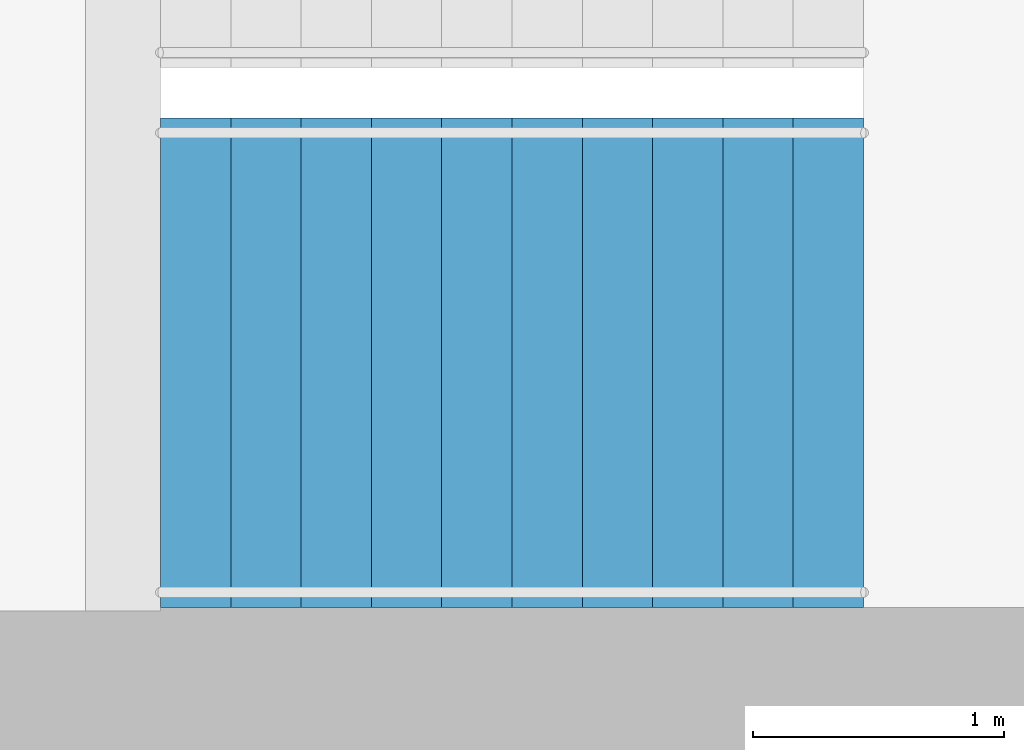
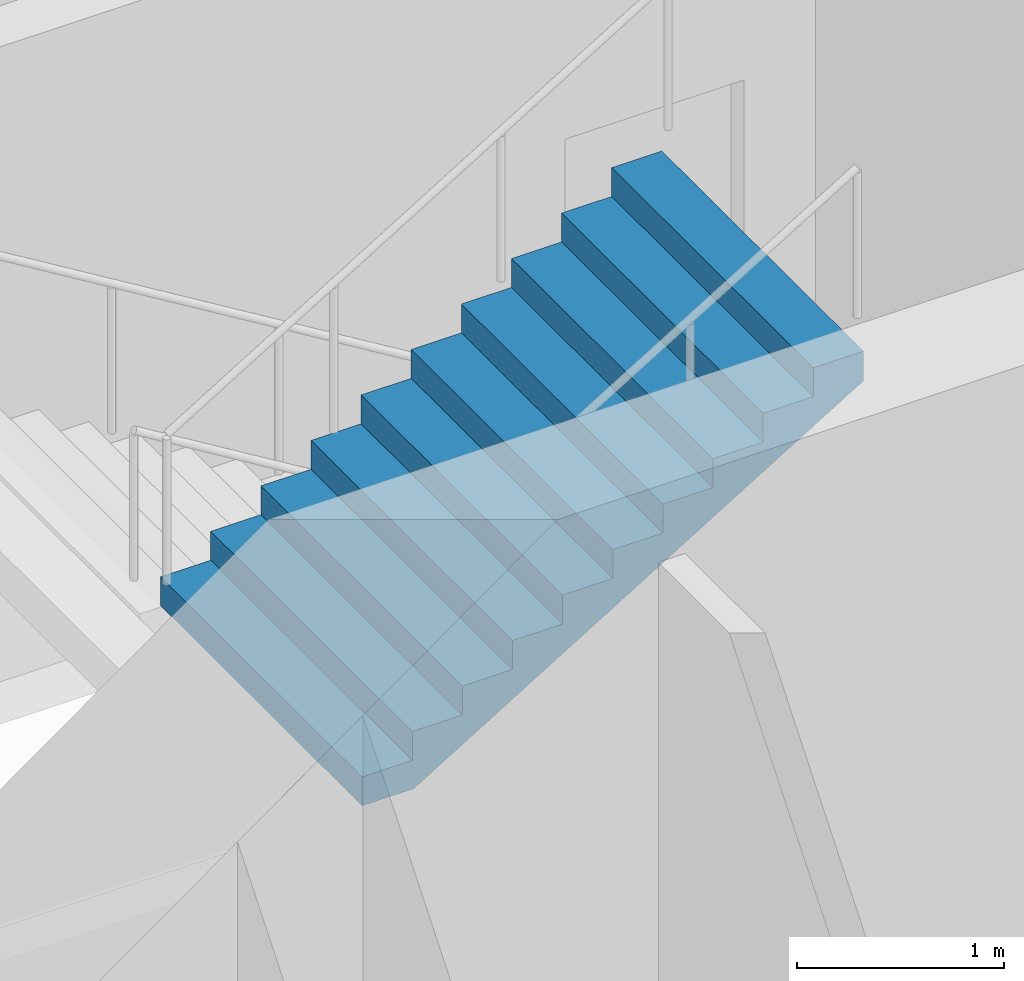
# One storey, part 21 of 23: 1 stair flight, 1 element without a shape of its own.
"""IFC4 building model written with IfcOpenShell, lengths in metres."""

from ifc_helpers import new_model, si_unit, direction, frame, origin, place, context, subcontext, project, spatial, triangles, material, type_object, element, aggregate, save


model = new_model("IFC4")

# Units and contexts
model_context = context("Model", 3, precision=1e-05, world=origin(), true_north=direction((0.0, 1.0)))
body_context = subcontext(model_context, "Body", "Model", "MODEL_VIEW")
ifc_project = project(units=[si_unit("LENGTHUNIT", "METRE"), si_unit("AREAUNIT", "SQUARE_METRE"), si_unit("VOLUMEUNIT", "CUBIC_METRE"), si_unit("PLANEANGLEUNIT", "RADIAN"), si_unit("MASSUNIT", "GRAM", prefix="KILO")], contexts=[model_context])

# Site, building, storey
site_placement = place(None, origin())
site = spatial("IfcSite", under=ifc_project, at=site_placement, CompositionType="ELEMENT")
building_placement = place(site_placement, origin())
building = spatial("IfcBuilding", under=site, at=building_placement, Name="Orbita Commons", CompositionType="ELEMENT")
storey_placement = place(building_placement, frame((0.0, 0.0, 227.800048828125)))
storey = spatial("IfcBuildingStorey", under=building, at=storey_placement, Name="L56", CompositionType="ELEMENT", Elevation=227.800048828125)

# Stair, stair flight
ifc_material_1 = material(Name="Precast concrete C40/50", Category="concrete")
stair_type = type_object("IfcStairType", Name="Exit stair S2 2 flights 11 risers 170", PredefinedType="HALF_TURN_STAIR", material=ifc_material_1)
stair_placement = place(storey_placement, origin())
stair = element("IfcStair", 1, at=stair_placement, inside=storey, type_object=stair_type, Name="Exit stair S2 L56", PredefinedType="HALF_TURN_STAIR")
ifc_material_2 = material(Name="Precast concrete C40/50", Category="concrete")
stair_flight_type = type_object("IfcStairFlightType", Name="Stair flight 11 risers 170 x 280", PredefinedType="STRAIGHT", material=ifc_material_2)
stair_flight_placement = place(storey_placement, frame((60.75, 27.125, 1.875), z_axis=(0.0, 0.0, 1.0), x_axis=(1.0, 0.0, 0.0)))
stair_flight = element("IfcStairFlight", 2, at=stair_flight_placement, type_object=stair_flight_type, Name="S2 flight 2", NumberOfRisers=11, NumberOfTreads=10, PredefinedType="STRAIGHT", RiserHeight=0.170454545, TreadLength=0.28, context=body_context, shape_type="Tessellation", body=[
    triangles([(0.0, 0.974976, 0.0), (0.0, 0.974976, 0.021307), (0.0, 0.81248, 0.021307), (0.0, 0.81248, 0.0), (0.0, 0.649984, 0.021307), (0.0, 0.649984, 0.0), (0.0, 0.487488, 0.021307), (0.0, 0.487488, 0.0), (0.0, 0.324992, 0.021307), (0.0, 0.324992, 0.0), (0.0, 0.162496, 0.021307), (0.0, 0.162496, 0.0), (0.0, 0.0, 0.021307), (0.0, 0.0, 0.0), (0.0, -0.162496, 0.021307), (0.0, -0.162496, 0.0), (0.0, -0.324992, 0.021307), (0.0, -0.324992, 0.0), (0.0, -0.487488, 0.021307), (0.0, -0.487488, 0.0), (0.0, -0.649984, 0.021307), (0.0, -0.649984, 0.0), (0.0, -0.81248, 0.021307), (0.0, -0.81248, 0.0), (0.0, -0.974976, 0.021307), (0.0, -0.974976, 0.0), (0.0, 0.974976, 0.042614), (0.0, 0.81248, 0.042614), (0.0, 0.649984, 0.042614), (0.0, 0.487488, 0.042614), (0.0, 0.324992, 0.042614), (0.0, 0.162496, 0.042614), (0.0, 0.0, 0.042614), (0.0, -0.162496, 0.042614), (0.0, -0.324992, 0.042614), (0.0, -0.487488, 0.042614), (0.0, -0.649984, 0.042614), (0.0, -0.81248, 0.042614), (0.0, -0.974976, 0.042614), (0.0, 0.974976, 0.06392), (0.0, 0.81248, 0.06392), (0.0, 0.649984, 0.06392), (0.0, 0.487488, 0.06392), (0.0, 0.324992, 0.06392), (0.0, 0.162496, 0.06392), (0.0, 0.0, 0.06392), (0.0, -0.162496, 0.06392), (0.0, -0.324992, 0.06392), (0.0, -0.487488, 0.06392), (0.0, -0.649984, 0.06392), (0.0, -0.81248, 0.06392), (0.0, -0.974976, 0.06392), (0.0, 0.974976, 0.085227), (0.0, 0.81248, 0.085227), (0.0, 0.649984, 0.085227), (0.0, 0.487488, 0.085227), (0.0, 0.324992, 0.085227), (0.0, 0.162496, 0.085227), (0.0, 0.0, 0.085227), (0.0, -0.162496, 0.085227), (0.0, -0.324992, 0.085227), (0.0, -0.487488, 0.085227), (0.0, -0.649984, 0.085227), (0.0, -0.81248, 0.085227), (0.0, -0.974976, 0.085227), (0.0, 0.974976, 0.106534), (0.0, 0.81248, 0.106534), (0.0, 0.649984, 0.106534), (0.0, 0.487488, 0.106534), (0.0, 0.324992, 0.106534), (0.0, 0.162496, 0.106534), (0.0, 0.0, 0.106534), (0.0, -0.162496, 0.106534), (0.0, -0.324992, 0.106534), (0.0, -0.487488, 0.106534), (0.0, -0.649984, 0.106534), (0.0, -0.81248, 0.106534), (0.0, -0.974976, 0.106534), (0.0, 0.974976, 0.127841), (0.0, 0.81248, 0.127841), (0.0, 0.649984, 0.127841), (0.0, 0.487488, 0.127841), (0.0, 0.324992, 0.127841), (0.0, 0.162496, 0.127841), (0.0, 0.0, 0.127841), (0.0, -0.162496, 0.127841), (0.0, -0.324992, 0.127841), (0.0, -0.487488, 0.127841), (0.0, -0.649984, 0.127841), (0.0, -0.81248, 0.127841), (0.0, -0.974976, 0.127841), (0.0, 0.974976, 0.149148), (0.0, 0.81248, 0.149148), (0.0, 0.649984, 0.149148), (0.0, 0.487488, 0.149148), (0.0, 0.324992, 0.149148), (0.0, 0.162496, 0.149148), (0.0, 0.0, 0.149148), (0.0, -0.162496, 0.149148), (0.0, -0.324992, 0.149148), (0.0, -0.487488, 0.149148), (0.0, -0.649984, 0.149148), (0.0, -0.81248, 0.149148), (0.0, -0.974976, 0.149148), (0.0, 0.974976, 0.170455), (0.0, 0.81248, 0.170455), (0.0, 0.649984, 0.170455), (0.0, 0.487488, 0.170455), (0.0, 0.324992, 0.170455), (0.0, 0.162496, 0.170455), (0.0, 0.0, 0.170455), (0.0, -0.162496, 0.170455), (0.0, -0.324992, 0.170455), (0.0, -0.487488, 0.170455), (0.0, -0.649984, 0.170455), (0.0, -0.81248, 0.170455), (0.0, -0.974976, 0.170455), (0.28, 0.974976, 0.170455), (0.28, 0.81248, 0.170455), (0.28, 0.649984, 0.170455), (0.28, 0.487488, 0.170455), (0.28, 0.324992, 0.170455), (0.28, 0.162496, 0.170455), (0.28, 0.0, 0.170455), (0.28, -0.162496, 0.170455), (0.28, -0.324992, 0.170455), (0.28, -0.487488, 0.170455), (0.28, -0.649984, 0.170455), (0.28, -0.81248, 0.170455), (0.28, -0.974976, 0.170455), (0.28, 0.974976, 0.340909), (0.28, 0.81248, 0.340909), (0.28, 0.649984, 0.340909), (0.28, 0.487488, 0.340909), (0.28, 0.324992, 0.340909), (0.28, 0.162496, 0.340909), (0.28, 0.0, 0.340909), (0.28, -0.162496, 0.340909), (0.28, -0.324992, 0.340909), (0.28, -0.487488, 0.340909), (0.28, -0.649984, 0.340909), (0.28, -0.81248, 0.340909), (0.28, -0.974976, 0.340909), (0.56, 0.974976, 0.340909), (0.56, 0.81248, 0.340909), (0.56, 0.649984, 0.340909), (0.56, 0.487488, 0.340909), (0.56, 0.324992, 0.340909), (0.56, 0.162496, 0.340909), (0.56, 0.0, 0.340909), (0.56, -0.162496, 0.340909), (0.56, -0.324992, 0.340909), (0.56, -0.487488, 0.340909), (0.56, -0.649984, 0.340909), (0.56, -0.81248, 0.340909), (0.56, -0.974976, 0.340909), (0.56, 0.974976, 0.511364), (0.56, 0.81248, 0.511364), (0.56, 0.649984, 0.511364), (0.56, 0.487488, 0.511364), (0.56, 0.324992, 0.511364), (0.56, 0.162496, 0.511364), (0.56, 0.0, 0.511364), (0.56, -0.162496, 0.511364), (0.56, -0.324992, 0.511364), (0.56, -0.487488, 0.511364), (0.56, -0.649984, 0.511364), (0.56, -0.81248, 0.511364), (0.56, -0.974976, 0.511364), (0.84, 0.974976, 0.511364), (0.84, 0.81248, 0.511364), (0.84, 0.649984, 0.511364), (0.84, 0.487488, 0.511364), (0.84, 0.324992, 0.511364), (0.84, 0.162496, 0.511364), (0.84, 0.0, 0.511364), (0.84, -0.162496, 0.511364), (0.84, -0.324992, 0.511364), (0.84, -0.487488, 0.511364), (0.84, -0.649984, 0.511364), (0.84, -0.81248, 0.511364), (0.84, -0.974976, 0.511364), (0.84, 0.974976, 0.681818), (0.84, 0.81248, 0.681818), (0.84, 0.649984, 0.681818), (0.84, 0.487488, 0.681818), (0.84, 0.324992, 0.681818), (0.84, 0.162496, 0.681818), (0.84, 0.0, 0.681818), (0.84, -0.162496, 0.681818), (0.84, -0.324992, 0.681818), (0.84, -0.487488, 0.681818), (0.84, -0.649984, 0.681818), (0.84, -0.81248, 0.681818), (0.84, -0.974976, 0.681818), (1.12, 0.974976, 0.681818), (1.12, 0.81248, 0.681818), (1.12, 0.649984, 0.681818), (1.12, 0.487488, 0.681818), (1.12, 0.324992, 0.681818), (1.12, 0.162496, 0.681818), (1.12, 0.0, 0.681818), (1.12, -0.162496, 0.681818), (1.12, -0.324992, 0.681818), (1.12, -0.487488, 0.681818), (1.12, -0.649984, 0.681818), (1.12, -0.81248, 0.681818), (1.12, -0.974976, 0.681818), (1.12, 0.974976, 0.852273), (1.12, 0.81248, 0.852273), (1.12, 0.649984, 0.852273), (1.12, 0.487488, 0.852273), (1.12, 0.324992, 0.852273), (1.12, 0.162496, 0.852273), (1.12, 0.0, 0.852273), (1.12, -0.162496, 0.852273), (1.12, -0.324992, 0.852273), (1.12, -0.487488, 0.852273), (1.12, -0.649984, 0.852273), (1.12, -0.81248, 0.852273), (1.12, -0.974976, 0.852273), (1.4, 0.974976, 0.852273), (1.4, 0.81248, 0.852273), (1.4, 0.649984, 0.852273), (1.4, 0.487488, 0.852273), (1.4, 0.324992, 0.852273), (1.4, 0.162496, 0.852273), (1.4, 0.0, 0.852273), (1.4, -0.162496, 0.852273), (1.4, -0.324992, 0.852273), (1.4, -0.487488, 0.852273), (1.4, -0.649984, 0.852273), (1.4, -0.81248, 0.852273), (1.4, -0.974976, 0.852273), (1.4, 0.974976, 1.022727), (1.4, 0.81248, 1.022727), (1.4, 0.649984, 1.022727), (1.4, 0.487488, 1.022727), (1.4, 0.324992, 1.022727), (1.4, 0.162496, 1.022727), (1.4, 0.0, 1.022727), (1.4, -0.162496, 1.022727), (1.4, -0.324992, 1.022727), (1.4, -0.487488, 1.022727), (1.4, -0.649984, 1.022727), (1.4, -0.81248, 1.022727), (1.4, -0.974976, 1.022727), (1.68, 0.974976, 1.022727), (1.68, 0.81248, 1.022727), (1.68, 0.649984, 1.022727), (1.68, 0.487488, 1.022727), (1.68, 0.324992, 1.022727), (1.68, 0.162496, 1.022727), (1.68, 0.0, 1.022727), (1.68, -0.162496, 1.022727), (1.68, -0.324992, 1.022727), (1.68, -0.487488, 1.022727), (1.68, -0.649984, 1.022727), (1.68, -0.81248, 1.022727), (1.68, -0.974976, 1.022727), (1.68, 0.974976, 1.193182), (1.68, 0.81248, 1.193182), (1.68, 0.649984, 1.193182), (1.68, 0.487488, 1.193182), (1.68, 0.324992, 1.193182), (1.68, 0.162496, 1.193182), (1.68, 0.0, 1.193182), (1.68, -0.162496, 1.193182), (1.68, -0.324992, 1.193182), (1.68, -0.487488, 1.193182), (1.68, -0.649984, 1.193182), (1.68, -0.81248, 1.193182), (1.68, -0.974976, 1.193182), (1.96, 0.974976, 1.193182), (1.96, 0.81248, 1.193182), (1.96, 0.649984, 1.193182), (1.96, 0.487488, 1.193182), (1.96, 0.324992, 1.193182), (1.96, 0.162496, 1.193182), (1.96, 0.0, 1.193182), (1.96, -0.162496, 1.193182), (1.96, -0.324992, 1.193182), (1.96, -0.487488, 1.193182), (1.96, -0.649984, 1.193182), (1.96, -0.81248, 1.193182), (1.96, -0.974976, 1.193182), (1.96, 0.974976, 1.363636), (1.96, 0.81248, 1.363636), (1.96, 0.649984, 1.363636), (1.96, 0.487488, 1.363636), (1.96, 0.324992, 1.363636), (1.96, 0.162496, 1.363636), (1.96, 0.0, 1.363636), (1.96, -0.162496, 1.363636), (1.96, -0.324992, 1.363636), (1.96, -0.487488, 1.363636), (1.96, -0.649984, 1.363636), (1.96, -0.81248, 1.363636), (1.96, -0.974976, 1.363636), (2.24, 0.974976, 1.363636), (2.24, 0.81248, 1.363636), (2.24, 0.649984, 1.363636), (2.24, 0.487488, 1.363636), (2.24, 0.324992, 1.363636), (2.24, 0.162496, 1.363636), (2.24, 0.0, 1.363636), (2.24, -0.162496, 1.363636), (2.24, -0.324992, 1.363636), (2.24, -0.487488, 1.363636), (2.24, -0.649984, 1.363636), (2.24, -0.81248, 1.363636), (2.24, -0.974976, 1.363636), (2.24, 0.974976, 1.534091), (2.24, 0.81248, 1.534091), (2.24, 0.649984, 1.534091), (2.24, 0.487488, 1.534091), (2.24, 0.324992, 1.534091), (2.24, 0.162496, 1.534091), (2.24, 0.0, 1.534091), (2.24, -0.162496, 1.534091), (2.24, -0.324992, 1.534091), (2.24, -0.487488, 1.534091), (2.24, -0.649984, 1.534091), (2.24, -0.81248, 1.534091), (2.24, -0.974976, 1.534091), (2.52, 0.974976, 1.534091), (2.52, 0.81248, 1.534091), (2.52, 0.649984, 1.534091), (2.52, 0.487488, 1.534091), (2.52, 0.324992, 1.534091), (2.52, 0.162496, 1.534091), (2.52, 0.0, 1.534091), (2.52, -0.162496, 1.534091), (2.52, -0.324992, 1.534091), (2.52, -0.487488, 1.534091), (2.52, -0.649984, 1.534091), (2.52, -0.81248, 1.534091), (2.52, -0.974976, 1.534091), (2.52, 0.974976, 1.704545), (2.52, 0.81248, 1.704545), (2.52, 0.649984, 1.704545), (2.52, 0.487488, 1.704545), (2.52, 0.324992, 1.704545), (2.52, 0.162496, 1.704545), (2.52, 0.0, 1.704545), (2.52, -0.162496, 1.704545), (2.52, -0.324992, 1.704545), (2.52, -0.487488, 1.704545), (2.52, -0.649984, 1.704545), (2.52, -0.81248, 1.704545), (2.52, -0.974976, 1.704545), (2.8, 0.974976, 1.704545), (2.8, 0.81248, 1.704545), (2.8, 0.649984, 1.704545), (2.8, 0.487488, 1.704545), (2.8, 0.324992, 1.704545), (2.8, 0.162496, 1.704545), (2.8, 0.0, 1.704545), (2.8, -0.162496, 1.704545), (2.8, -0.324992, 1.704545), (2.8, -0.487488, 1.704545), (2.8, -0.649984, 1.704545), (2.8, -0.81248, 1.704545), (2.8, -0.974976, 1.704545), (2.8, 0.974976, 1.682609), (2.8, 0.81248, 1.682609), (2.8, 0.649984, 1.682609), (2.8, 0.487488, 1.682609), (2.8, 0.324992, 1.682609), (2.8, 0.162496, 1.682609), (2.8, 0.0, 1.682609), (2.8, -0.162496, 1.682609), (2.8, -0.324992, 1.682609), (2.8, -0.487488, 1.682609), (2.8, -0.649984, 1.682609), (2.8, -0.81248, 1.682609), (2.8, -0.974976, 1.682609), (2.8, 0.974976, 1.660672), (2.8, 0.81248, 1.660672), (2.8, 0.649984, 1.660672), (2.8, 0.487488, 1.660672), (2.8, 0.324992, 1.660672), (2.8, 0.162496, 1.660672), (2.8, 0.0, 1.660672), (2.8, -0.162496, 1.660672), (2.8, -0.324992, 1.660672), (2.8, -0.487488, 1.660672), (2.8, -0.649984, 1.660672), (2.8, -0.81248, 1.660672), (2.8, -0.974976, 1.660672), (2.8, 0.974976, 1.638735), (2.8, 0.81248, 1.638735), (2.8, 0.649984, 1.638735), (2.8, 0.487488, 1.638735), (2.8, 0.324992, 1.638735), (2.8, 0.162496, 1.638735), (2.8, 0.0, 1.638735), (2.8, -0.162496, 1.638735), (2.8, -0.324992, 1.638735), (2.8, -0.487488, 1.638735), (2.8, -0.649984, 1.638735), (2.8, -0.81248, 1.638735), (2.8, -0.974976, 1.638735), (2.8, 0.974976, 1.616798), (2.8, 0.81248, 1.616798), (2.8, 0.649984, 1.616798), (2.8, 0.487488, 1.616798), (2.8, 0.324992, 1.616798), (2.8, 0.162496, 1.616798), (2.8, 0.0, 1.616798), (2.8, -0.162496, 1.616798), (2.8, -0.324992, 1.616798), (2.8, -0.487488, 1.616798), (2.8, -0.649984, 1.616798), (2.8, -0.81248, 1.616798), (2.8, -0.974976, 1.616798), (2.8, 0.974976, 1.594861), (2.8, 0.81248, 1.594861), (2.8, 0.649984, 1.594861), (2.8, 0.487488, 1.594861), (2.8, 0.324992, 1.594861), (2.8, 0.162496, 1.594861), (2.8, 0.0, 1.594861), (2.8, -0.162496, 1.594861), (2.8, -0.324992, 1.594861), (2.8, -0.487488, 1.594861), (2.8, -0.649984, 1.594861), (2.8, -0.81248, 1.594861), (2.8, -0.974976, 1.594861), (2.8, 0.974976, 1.572925), (2.8, 0.81248, 1.572925), (2.8, 0.649984, 1.572925), (2.8, 0.487488, 1.572925), (2.8, 0.324992, 1.572925), (2.8, 0.162496, 1.572925), (2.8, 0.0, 1.572925), (2.8, -0.162496, 1.572925), (2.8, -0.324992, 1.572925), (2.8, -0.487488, 1.572925), (2.8, -0.649984, 1.572925), (2.8, -0.81248, 1.572925), (2.8, -0.974976, 1.572925), (2.8, 0.974976, 1.550988), (2.8, 0.81248, 1.550988), (2.8, 0.649984, 1.550988), (2.8, 0.487488, 1.550988), (2.8, 0.324992, 1.550988), (2.8, 0.162496, 1.550988), (2.8, 0.0, 1.550988), (2.8, -0.162496, 1.550988), (2.8, -0.324992, 1.550988), (2.8, -0.487488, 1.550988), (2.8, -0.649984, 1.550988), (2.8, -0.81248, 1.550988), (2.8, -0.974976, 1.550988), (2.8, 0.974976, 1.529051), (2.8, 0.81248, 1.529051), (2.8, 0.649984, 1.529051), (2.8, 0.487488, 1.529051), (2.8, 0.324992, 1.529051), (2.8, 0.162496, 1.529051), (2.8, 0.0, 1.529051), (2.8, -0.162496, 1.529051), (2.8, -0.324992, 1.529051), (2.8, -0.487488, 1.529051), (2.8, -0.649984, 1.529051), (2.8, -0.81248, 1.529051), (2.8, -0.974976, 1.529051), (0.288279, 0.974976, 0.0), (0.288279, 0.81248, 0.0), (0.288279, 0.649984, 0.0), (0.288279, 0.487488, 0.0), (0.288279, 0.324992, 0.0), (0.288279, 0.162496, 0.0), (0.288279, 0.0, 0.0), (0.288279, -0.162496, 0.0), (0.288279, -0.324992, 0.0), (0.288279, -0.487488, 0.0), (0.288279, -0.649984, 0.0), (0.288279, -0.81248, 0.0), (0.288279, -0.974976, 0.0)], [[3, 2, 1], [4, 3, 1], [5, 3, 4], [6, 5, 4], [7, 5, 6], [8, 7, 6], [9, 7, 8], [10, 9, 8], [11, 9, 10], [12, 11, 10], [13, 11, 12], [14, 13, 12], [15, 13, 14], [16, 15, 14], [17, 15, 16], [18, 17, 16], [19, 17, 18], [20, 19, 18], [21, 19, 20], [22, 21, 20], [23, 21, 22], [24, 23, 22], [25, 23, 24], [26, 25, 24], [28, 27, 2], [3, 28, 2], [29, 28, 3], [5, 29, 3], [30, 29, 5], [7, 30, 5], [31, 30, 7], [9, 31, 7], [32, 31, 9], [11, 32, 9], [33, 32, 11], [13, 33, 11], [34, 33, 13], [15, 34, 13], [35, 34, 15], [17, 35, 15], [36, 35, 17], [19, 36, 17], [37, 36, 19], [21, 37, 19], [38, 37, 21], [23, 38, 21], [39, 38, 23], [25, 39, 23], [41, 40, 27], [28, 41, 27], [42, 41, 28], [29, 42, 28], [43, 42, 29], [30, 43, 29], [44, 43, 30], [31, 44, 30], [45, 44, 31], [32, 45, 31], [46, 45, 32], [33, 46, 32], [47, 46, 33], [34, 47, 33], [48, 47, 34], [35, 48, 34], [49, 48, 35], [36, 49, 35], [50, 49, 36], [37, 50, 36], [51, 50, 37], [38, 51, 37], [52, 51, 38], [39, 52, 38], [54, 53, 40], [41, 54, 40], [55, 54, 41], [42, 55, 41], [56, 55, 42], [43, 56, 42], [57, 56, 43], [44, 57, 43], [58, 57, 44], [45, 58, 44], [59, 58, 45], [46, 59, 45], [60, 59, 46], [47, 60, 46], [61, 60, 47], [48, 61, 47], [62, 61, 48], [49, 62, 48], [63, 62, 49], [50, 63, 49], [64, 63, 50], [51, 64, 50], [65, 64, 51], [52, 65, 51], [67, 66, 53], [54, 67, 53], [68, 67, 54], [55, 68, 54], [69, 68, 55], [56, 69, 55], [70, 69, 56], [57, 70, 56], [71, 70, 57], [58, 71, 57], [72, 71, 58], [59, 72, 58], [73, 72, 59], [60, 73, 59], [74, 73, 60], [61, 74, 60], [75, 74, 61], [62, 75, 61], [76, 75, 62], [63, 76, 62], [77, 76, 63], [64, 77, 63], [78, 77, 64], [65, 78, 64], [80, 79, 66], [67, 80, 66], [81, 80, 67], [68, 81, 67], [82, 81, 68], [69, 82, 68], [83, 82, 69], [70, 83, 69], [84, 83, 70], [71, 84, 70], [85, 84, 71], [72, 85, 71], [86, 85, 72], [73, 86, 72], [87, 86, 73], [74, 87, 73], [88, 87, 74], [75, 88, 74], [89, 88, 75], [76, 89, 75], [90, 89, 76], [77, 90, 76], [91, 90, 77], [78, 91, 77], [93, 92, 79], [80, 93, 79], [94, 93, 80], [81, 94, 80], [95, 94, 81], [82, 95, 81], [96, 95, 82], [83, 96, 82], [97, 96, 83], [84, 97, 83], [98, 97, 84], [85, 98, 84], [99, 98, 85], [86, 99, 85], [100, 99, 86], [87, 100, 86], [101, 100, 87], [88, 101, 87], [102, 101, 88], [89, 102, 88], [103, 102, 89], [90, 103, 89], [104, 103, 90], [91, 104, 90], [106, 105, 92], [93, 106, 92], [107, 106, 93], [94, 107, 93], [108, 107, 94], [95, 108, 94], [109, 108, 95], [96, 109, 95], [110, 109, 96], [97, 110, 96], [111, 110, 97], [98, 111, 97], [112, 111, 98], [99, 112, 98], [113, 112, 99], [100, 113, 99], [114, 113, 100], [101, 114, 100], [115, 114, 101], [102, 115, 101], [116, 115, 102], [103, 116, 102], [117, 116, 103], [104, 117, 103], [119, 118, 105], [106, 119, 105], [120, 119, 106], [107, 120, 106], [121, 120, 107], [108, 121, 107], [122, 121, 108], [109, 122, 108], [123, 122, 109], [110, 123, 109], [124, 123, 110], [111, 124, 110], [125, 124, 111], [112, 125, 111], [126, 125, 112], [113, 126, 112], [127, 126, 113], [114, 127, 113], [128, 127, 114], [115, 128, 114], [129, 128, 115], [116, 129, 115], [130, 129, 116], [117, 130, 116], [132, 131, 118], [119, 132, 118], [133, 132, 119], [120, 133, 119], [134, 133, 120], [121, 134, 120], [135, 134, 121], [122, 135, 121], [136, 135, 122], [123, 136, 122], [137, 136, 123], [124, 137, 123], [138, 137, 124], [125, 138, 124], [139, 138, 125], [126, 139, 125], [140, 139, 126], [127, 140, 126], [141, 140, 127], [128, 141, 127], [142, 141, 128], [129, 142, 128], [143, 142, 129], [130, 143, 129], [145, 144, 131], [132, 145, 131], [146, 145, 132], [133, 146, 132], [147, 146, 133], [134, 147, 133], [148, 147, 134], [135, 148, 134], [149, 148, 135], [136, 149, 135], [150, 149, 136], [137, 150, 136], [151, 150, 137], [138, 151, 137], [152, 151, 138], [139, 152, 138], [153, 152, 139], [140, 153, 139], [154, 153, 140], [141, 154, 140], [155, 154, 141], [142, 155, 141], [156, 155, 142], [143, 156, 142], [158, 157, 144], [145, 158, 144], [159, 158, 145], [146, 159, 145], [160, 159, 146], [147, 160, 146], [161, 160, 147], [148, 161, 147], [162, 161, 148], [149, 162, 148], [163, 162, 149], [150, 163, 149], [164, 163, 150], [151, 164, 150], [165, 164, 151], [152, 165, 151], [166, 165, 152], [153, 166, 152], [167, 166, 153], [154, 167, 153], [168, 167, 154], [155, 168, 154], [169, 168, 155], [156, 169, 155], [171, 170, 157], [158, 171, 157], [172, 171, 158], [159, 172, 158], [173, 172, 159], [160, 173, 159], [174, 173, 160], [161, 174, 160], [175, 174, 161], [162, 175, 161], [176, 175, 162], [163, 176, 162], [177, 176, 163], [164, 177, 163], [178, 177, 164], [165, 178, 164], [179, 178, 165], [166, 179, 165], [180, 179, 166], [167, 180, 166], [181, 180, 167], [168, 181, 167], [182, 181, 168], [169, 182, 168], [184, 183, 170], [171, 184, 170], [185, 184, 171], [172, 185, 171], [186, 185, 172], [173, 186, 172], [187, 186, 173], [174, 187, 173], [188, 187, 174], [175, 188, 174], [189, 188, 175], [176, 189, 175], [190, 189, 176], [177, 190, 176], [191, 190, 177], [178, 191, 177], [192, 191, 178], [179, 192, 178], [193, 192, 179], [180, 193, 179], [194, 193, 180], [181, 194, 180], [195, 194, 181], [182, 195, 181], [197, 196, 183], [184, 197, 183], [198, 197, 184], [185, 198, 184], [199, 198, 185], [186, 199, 185], [200, 199, 186], [187, 200, 186], [201, 200, 187], [188, 201, 187], [202, 201, 188], [189, 202, 188], [203, 202, 189], [190, 203, 189], [204, 203, 190], [191, 204, 190], [205, 204, 191], [192, 205, 191], [206, 205, 192], [193, 206, 192], [207, 206, 193], [194, 207, 193], [208, 207, 194], [195, 208, 194], [210, 209, 196], [197, 210, 196], [211, 210, 197], [198, 211, 197], [212, 211, 198], [199, 212, 198], [213, 212, 199], [200, 213, 199], [214, 213, 200], [201, 214, 200], [215, 214, 201], [202, 215, 201], [216, 215, 202], [203, 216, 202], [217, 216, 203], [204, 217, 203], [218, 217, 204], [205, 218, 204], [219, 218, 205], [206, 219, 205], [220, 219, 206], [207, 220, 206], [221, 220, 207], [208, 221, 207], [223, 222, 209], [210, 223, 209], [224, 223, 210], [211, 224, 210], [225, 224, 211], [212, 225, 211], [226, 225, 212], [213, 226, 212], [227, 226, 213], [214, 227, 213], [228, 227, 214], [215, 228, 214], [229, 228, 215], [216, 229, 215], [230, 229, 216], [217, 230, 216], [231, 230, 217], [218, 231, 217], [232, 231, 218], [219, 232, 218], [233, 232, 219], [220, 233, 219], [234, 233, 220], [221, 234, 220], [236, 235, 222], [223, 236, 222], [237, 236, 223], [224, 237, 223], [238, 237, 224], [225, 238, 224], [239, 238, 225], [226, 239, 225], [240, 239, 226], [227, 240, 226], [241, 240, 227], [228, 241, 227], [242, 241, 228], [229, 242, 228], [243, 242, 229], [230, 243, 229], [244, 243, 230], [231, 244, 230], [245, 244, 231], [232, 245, 231], [246, 245, 232], [233, 246, 232], [247, 246, 233], [234, 247, 233], [249, 248, 235], [236, 249, 235], [250, 249, 236], [237, 250, 236], [251, 250, 237], [238, 251, 237], [252, 251, 238], [239, 252, 238], [253, 252, 239], [240, 253, 239], [254, 253, 240], [241, 254, 240], [255, 254, 241], [242, 255, 241], [256, 255, 242], [243, 256, 242], [257, 256, 243], [244, 257, 243], [258, 257, 244], [245, 258, 244], [259, 258, 245], [246, 259, 245], [260, 259, 246], [247, 260, 246], [262, 261, 248], [249, 262, 248], [263, 262, 249], [250, 263, 249], [264, 263, 250], [251, 264, 250], [265, 264, 251], [252, 265, 251], [266, 265, 252], [253, 266, 252], [267, 266, 253], [254, 267, 253], [268, 267, 254], [255, 268, 254], [269, 268, 255], [256, 269, 255], [270, 269, 256], [257, 270, 256], [271, 270, 257], [258, 271, 257], [272, 271, 258], [259, 272, 258], [273, 272, 259], [260, 273, 259], [275, 274, 261], [262, 275, 261], [276, 275, 262], [263, 276, 262], [277, 276, 263], [264, 277, 263], [278, 277, 264], [265, 278, 264], [279, 278, 265], [266, 279, 265], [280, 279, 266], [267, 280, 266], [281, 280, 267], [268, 281, 267], [282, 281, 268], [269, 282, 268], [283, 282, 269], [270, 283, 269], [284, 283, 270], [271, 284, 270], [285, 284, 271], [272, 285, 271], [286, 285, 272], [273, 286, 272], [288, 287, 274], [275, 288, 274], [289, 288, 275], [276, 289, 275], [290, 289, 276], [277, 290, 276], [291, 290, 277], [278, 291, 277], [292, 291, 278], [279, 292, 278], [293, 292, 279], [280, 293, 279], [294, 293, 280], [281, 294, 280], [295, 294, 281], [282, 295, 281], [296, 295, 282], [283, 296, 282], [297, 296, 283], [284, 297, 283], [298, 297, 284], [285, 298, 284], [299, 298, 285], [286, 299, 285], [301, 300, 287], [288, 301, 287], [302, 301, 288], [289, 302, 288], [303, 302, 289], [290, 303, 289], [304, 303, 290], [291, 304, 290], [305, 304, 291], [292, 305, 291], [306, 305, 292], [293, 306, 292], [307, 306, 293], [294, 307, 293], [308, 307, 294], [295, 308, 294], [309, 308, 295], [296, 309, 295], [310, 309, 296], [297, 310, 296], [311, 310, 297], [298, 311, 297], [312, 311, 298], [299, 312, 298], [314, 313, 300], [301, 314, 300], [315, 314, 301], [302, 315, 301], [316, 315, 302], [303, 316, 302], [317, 316, 303], [304, 317, 303], [318, 317, 304], [305, 318, 304], [319, 318, 305], [306, 319, 305], [320, 319, 306], [307, 320, 306], [321, 320, 307], [308, 321, 307], [322, 321, 308], [309, 322, 308], [323, 322, 309], [310, 323, 309], [324, 323, 310], [311, 324, 310], [325, 324, 311], [312, 325, 311], [327, 326, 313], [314, 327, 313], [328, 327, 314], [315, 328, 314], [329, 328, 315], [316, 329, 315], [330, 329, 316], [317, 330, 316], [331, 330, 317], [318, 331, 317], [332, 331, 318], [319, 332, 318], [333, 332, 319], [320, 333, 319], [334, 333, 320], [321, 334, 320], [335, 334, 321], [322, 335, 321], [336, 335, 322], [323, 336, 322], [337, 336, 323], [324, 337, 323], [338, 337, 324], [325, 338, 324], [340, 339, 326], [327, 340, 326], [341, 340, 327], [328, 341, 327], [342, 341, 328], [329, 342, 328], [343, 342, 329], [330, 343, 329], [344, 343, 330], [331, 344, 330], [345, 344, 331], [332, 345, 331], [346, 345, 332], [333, 346, 332], [347, 346, 333], [334, 347, 333], [348, 347, 334], [335, 348, 334], [349, 348, 335], [336, 349, 335], [350, 349, 336], [337, 350, 336], [351, 350, 337], [338, 351, 337], [353, 352, 339], [340, 353, 339], [354, 353, 340], [341, 354, 340], [355, 354, 341], [342, 355, 341], [356, 355, 342], [343, 356, 342], [357, 356, 343], [344, 357, 343], [358, 357, 344], [345, 358, 344], [359, 358, 345], [346, 359, 345], [360, 359, 346], [347, 360, 346], [361, 360, 347], [348, 361, 347], [362, 361, 348], [349, 362, 348], [363, 362, 349], [350, 363, 349], [364, 363, 350], [351, 364, 350], [366, 365, 352], [353, 366, 352], [367, 366, 353], [354, 367, 353], [368, 367, 354], [355, 368, 354], [369, 368, 355], [356, 369, 355], [370, 369, 356], [357, 370, 356], [371, 370, 357], [358, 371, 357], [372, 371, 358], [359, 372, 358], [373, 372, 359], [360, 373, 359], [374, 373, 360], [361, 374, 360], [375, 374, 361], [362, 375, 361], [376, 375, 362], [363, 376, 362], [377, 376, 363], [364, 377, 363], [379, 378, 365], [366, 379, 365], [380, 379, 366], [367, 380, 366], [381, 380, 367], [368, 381, 367], [382, 381, 368], [369, 382, 368], [383, 382, 369], [370, 383, 369], [384, 383, 370], [371, 384, 370], [385, 384, 371], [372, 385, 371], [386, 385, 372], [373, 386, 372], [387, 386, 373], [374, 387, 373], [388, 387, 374], [375, 388, 374], [389, 388, 375], [376, 389, 375], [390, 389, 376], [377, 390, 376], [392, 391, 378], [379, 392, 378], [393, 392, 379], [380, 393, 379], [394, 393, 380], [381, 394, 380], [395, 394, 381], [382, 395, 381], [396, 395, 382], [383, 396, 382], [397, 396, 383], [384, 397, 383], [398, 397, 384], [385, 398, 384], [399, 398, 385], [386, 399, 385], [400, 399, 386], [387, 400, 386], [401, 400, 387], [388, 401, 387], [402, 401, 388], [389, 402, 388], [403, 402, 389], [390, 403, 389], [405, 404, 391], [392, 405, 391], [406, 405, 392], [393, 406, 392], [407, 406, 393], [394, 407, 393], [408, 407, 394], [395, 408, 394], [409, 408, 395], [396, 409, 395], [410, 409, 396], [397, 410, 396], [411, 410, 397], [398, 411, 397], [412, 411, 398], [399, 412, 398], [413, 412, 399], [400, 413, 399], [414, 413, 400], [401, 414, 400], [415, 414, 401], [402, 415, 401], [416, 415, 402], [403, 416, 402], [418, 417, 404], [405, 418, 404], [419, 418, 405], [406, 419, 405], [420, 419, 406], [407, 420, 406], [421, 420, 407], [408, 421, 407], [422, 421, 408], [409, 422, 408], [423, 422, 409], [410, 423, 409], [424, 423, 410], [411, 424, 410], [425, 424, 411], [412, 425, 411], [426, 425, 412], [413, 426, 412], [427, 426, 413], [414, 427, 413], [428, 427, 414], [415, 428, 414], [429, 428, 415], [416, 429, 415], [431, 430, 417], [418, 431, 417], [432, 431, 418], [419, 432, 418], [433, 432, 419], [420, 433, 419], [434, 433, 420], [421, 434, 420], [435, 434, 421], [422, 435, 421], [436, 435, 422], [423, 436, 422], [437, 436, 423], [424, 437, 423], [438, 437, 424], [425, 438, 424], [439, 438, 425], [426, 439, 425], [440, 439, 426], [427, 440, 426], [441, 440, 427], [428, 441, 427], [442, 441, 428], [429, 442, 428], [444, 443, 430], [431, 444, 430], [445, 444, 431], [432, 445, 431], [446, 445, 432], [433, 446, 432], [447, 446, 433], [434, 447, 433], [448, 447, 434], [435, 448, 434], [449, 448, 435], [436, 449, 435], [450, 449, 436], [437, 450, 436], [451, 450, 437], [438, 451, 437], [452, 451, 438], [439, 452, 438], [453, 452, 439], [440, 453, 439], [454, 453, 440], [441, 454, 440], [455, 454, 441], [442, 455, 441], [457, 456, 443], [444, 457, 443], [458, 457, 444], [445, 458, 444], [459, 458, 445], [446, 459, 445], [460, 459, 446], [447, 460, 446], [461, 460, 447], [448, 461, 447], [462, 461, 448], [449, 462, 448], [463, 462, 449], [450, 463, 449], [464, 463, 450], [451, 464, 450], [465, 464, 451], [452, 465, 451], [466, 465, 452], [453, 466, 452], [467, 466, 453], [454, 467, 453], [468, 467, 454], [455, 468, 454], [470, 469, 456], [457, 470, 456], [471, 470, 457], [458, 471, 457], [472, 471, 458], [459, 472, 458], [473, 472, 459], [460, 473, 459], [474, 473, 460], [461, 474, 460], [475, 474, 461], [462, 475, 461], [476, 475, 462], [463, 476, 462], [477, 476, 463], [464, 477, 463], [478, 477, 464], [465, 478, 464], [479, 478, 465], [466, 479, 465], [480, 479, 466], [467, 480, 466], [481, 480, 467], [468, 481, 467], [4, 1, 469], [470, 4, 469], [6, 4, 470], [471, 6, 470], [8, 6, 471], [472, 8, 471], [10, 8, 472], [473, 10, 472], [12, 10, 473], [474, 12, 473], [14, 12, 474], [475, 14, 474], [16, 14, 475], [476, 16, 475], [18, 16, 476], [477, 18, 476], [20, 18, 477], [478, 20, 477], [22, 20, 478], [479, 22, 478], [24, 22, 479], [480, 24, 479], [26, 24, 480], [481, 26, 480], [456, 469, 1], [26, 481, 468], [443, 456, 1], [26, 468, 455], [430, 443, 1], [26, 455, 442], [417, 430, 1], [26, 442, 429], [404, 417, 1], [26, 429, 416], [391, 404, 1], [26, 416, 403], [378, 391, 1], [26, 403, 390], [365, 378, 1], [26, 390, 377], [339, 352, 365], [377, 364, 351], [326, 339, 365], [377, 351, 338], [300, 313, 326], [338, 325, 312], [300, 326, 365], [377, 338, 312], [274, 287, 300], [312, 299, 286], [274, 300, 365], [377, 312, 286], [248, 261, 274], [286, 273, 260], [248, 274, 365], [377, 286, 260], [222, 235, 248], [260, 247, 234], [222, 248, 365], [377, 260, 234], [196, 209, 222], [234, 221, 208], [196, 222, 365], [377, 234, 208], [170, 183, 196], [208, 195, 182], [170, 196, 365], [377, 208, 182], [144, 157, 170], [182, 169, 156], [144, 170, 365], [377, 182, 156], [118, 131, 144], [156, 143, 130], [118, 144, 365], [377, 156, 130], [118, 365, 1], [26, 377, 130], [92, 105, 118], [130, 117, 104], [79, 92, 118], [130, 104, 91], [66, 79, 118], [130, 91, 78], [53, 66, 118], [130, 78, 65], [40, 53, 118], [130, 65, 52], [27, 40, 118], [130, 52, 39], [2, 27, 118], [130, 39, 25], [1, 2, 118], [130, 25, 26]], closed=True),
])
aggregate(stair, [stair_flight])

save(model, "model.ifc")
